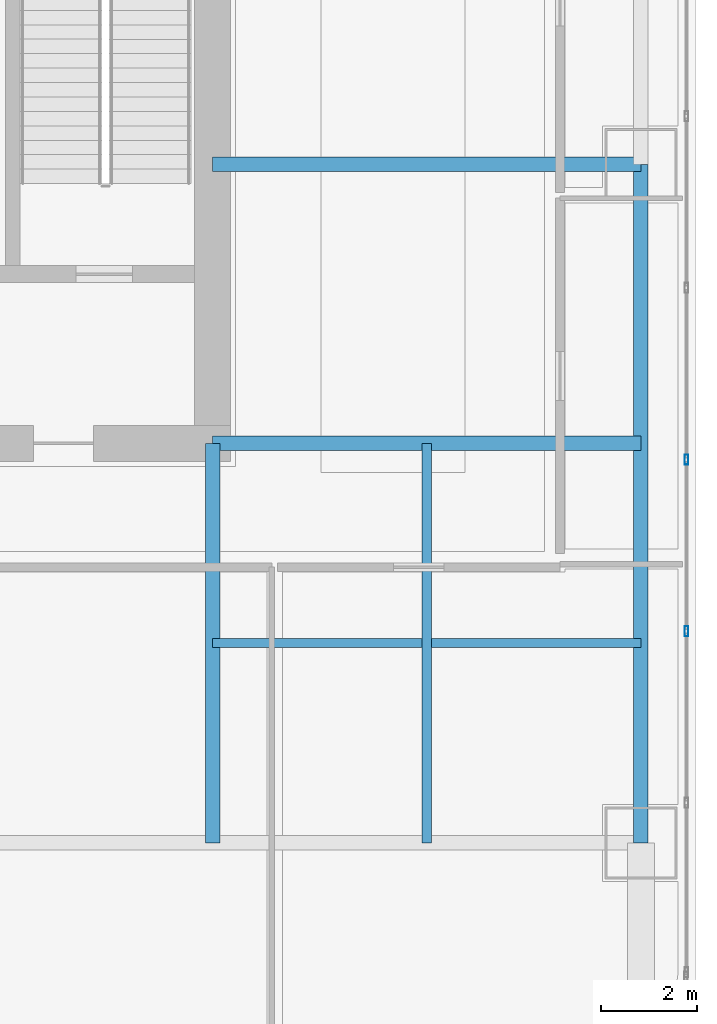
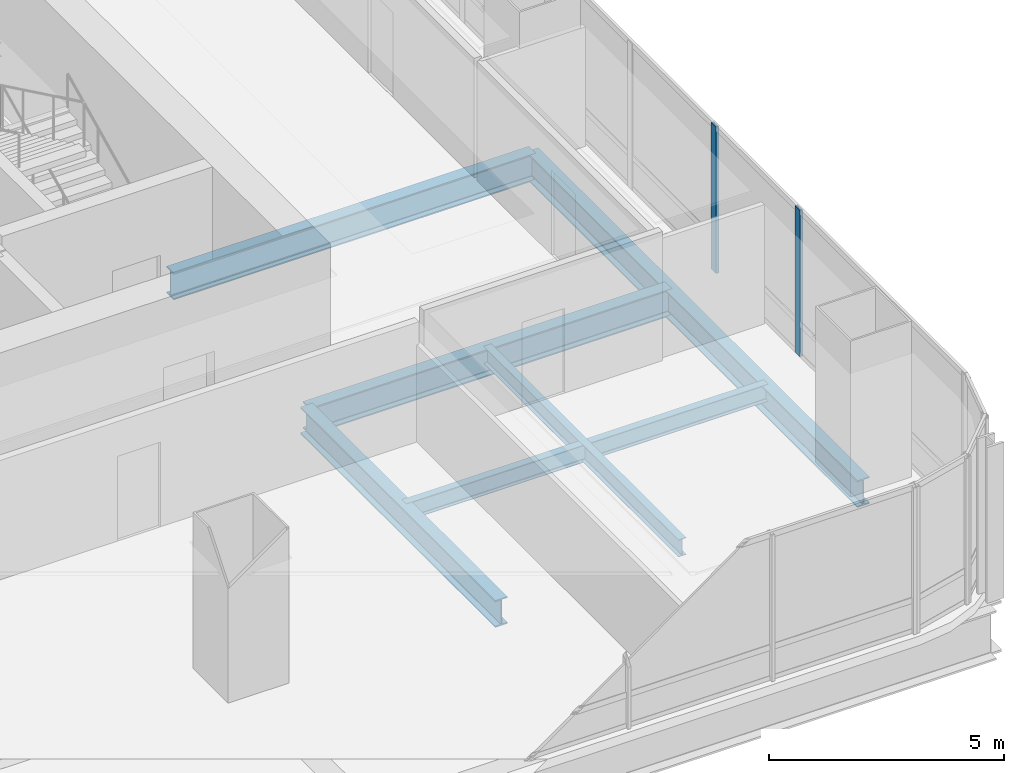
# One storey, part 14 of 36: 6 beams, 2 members, 1 element without a shape of its own.
"""IFC4 building model written with IfcOpenShell, lengths in metres."""

from ifc_helpers import new_model, si_unit, direction, frame, origin, origin_2d, place, context, subcontext, project, spatial, hollow_rectangle, i_section, extrude, material, material_profile, profile_set, type_object, element, aggregate, save


model = new_model("IFC4")

# Units and contexts
model_context = context("Model", 3, precision=1e-05, world=origin(), true_north=direction((0.0, 1.0)))
body_context = subcontext(model_context, "Body", "Model", "MODEL_VIEW")
ifc_project = project(units=[si_unit("LENGTHUNIT", "METRE"), si_unit("AREAUNIT", "SQUARE_METRE"), si_unit("VOLUMEUNIT", "CUBIC_METRE"), si_unit("PLANEANGLEUNIT", "RADIAN"), si_unit("MASSUNIT", "GRAM", prefix="KILO")], contexts=[model_context])

# Site, building, storey
site_placement = place(None, origin())
site = spatial("IfcSite", under=ifc_project, at=site_placement, CompositionType="ELEMENT")
building_placement = place(site_placement, origin())
building = spatial("IfcBuilding", under=site, at=building_placement, Name="Punatoya Terracotta Tower", CompositionType="ELEMENT")
storey_placement = place(building_placement, frame((0.0, 0.0, 32.25)))
storey = spatial("IfcBuildingStorey", under=building, at=storey_placement, Name="L06", CompositionType="ELEMENT", Elevation=32.25)

# Beams
ifc_material_1 = material(Name="Steel S355", Category="steel")
ifc_material_profile_1 = material_profile(ifc_material_1, i_section(OverallWidth=0.300048828125, OverallDepth=0.699951171875, WebThickness=0.01708984375, FlangeThickness=0.031982421875, FilletRadius=0.01806640625, at=origin_2d()))
ifc_profile_set_1 = profile_set([ifc_material_profile_1], Name="Steel S355")
beam_type_1 = type_object("IfcBeamType", Name="BM-PRI-700", PredefinedType="BEAM", material=ifc_profile_set_1)
beam_1_placement = place(storey_placement, frame((19.10009765625, -17.5, -0.590087890625), z_axis=(0.0, 1.0, 0.0), x_axis=(-1.0, 0.0, 0.0)))
element("IfcBeam", 1, at=beam_1_placement, inside=storey, type_object=beam_type_1, Name="BM-L06-RG-E1", PredefinedType="BEAM", context=body_context, shape_type="SweptSolid", body=[
    extrude(i_section(OverallWidth=0.300048828125, OverallDepth=0.699951171875, WebThickness=0.01708984375, FlangeThickness=0.031982421875, FilletRadius=0.01806640625, at=origin_2d()), origin(), (0.0, 0.0, 1.0), 14.10009765625),
])
for number, where, z_axis, x_axis, name in (
    (2, (10.199951171875, -9.199951171875, -0.590087890625), (1.0, 0.0, 0.0), (0.0, 1.0, 0.0), "BM-L06-PR-ES"),
    (3, (10.199951171875, -3.39990234375, -0.590087890625), (1.0, 0.0, 0.0), (0.0, 1.0, 0.0), "BM-L06-PR-ED"),
):
    element("IfcBeam", number, at=place(storey_placement, frame(where, z_axis=z_axis, x_axis=x_axis)), inside=storey, type_object=beam_type_1, Name=name, PredefinedType="BEAM", context=body_context, shape_type="SweptSolid", body=[
        extrude(i_section(OverallWidth=0.300048828125, OverallDepth=0.699951171875, WebThickness=0.01708984375, FlangeThickness=0.031982421875, FilletRadius=0.01806640625, at=origin_2d()), origin(), (0.0, 0.0, 1.0), 8.900146484375),
    ])
beam_2_placement = place(storey_placement, frame((10.199951171875, -17.5, -0.590087890625), z_axis=(0.0, 1.0, 0.0), x_axis=(-1.0, 0.0, 0.0)))
element("IfcBeam", 4, at=beam_2_placement, inside=storey, type_object=beam_type_1, Name="BM-L06-PR-S4", PredefinedType="BEAM", context=body_context, shape_type="SweptSolid", body=[
    extrude(i_section(OverallWidth=0.300048828125, OverallDepth=0.699951171875, WebThickness=0.01708984375, FlangeThickness=0.031982421875, FilletRadius=0.01806640625, at=origin_2d()), origin(), (0.0, 0.0, 1.0), 8.300048828125),
])
ifc_material_profile_2 = material_profile(ifc_material_1, i_section(OverallWidth=0.18994140625, OverallDepth=0.449951171875, WebThickness=0.009521484375, FlangeThickness=0.0146484375, FilletRadius=0.01806640625, at=origin_2d()))
ifc_profile_set_2 = profile_set([ifc_material_profile_2], Name="Steel S355")
beam_type_2 = type_object("IfcBeamType", Name="BM-SEC-450", PredefinedType="JOIST", material=ifc_profile_set_2)
beam_3_placement = place(storey_placement, frame((10.199951171875, -13.35009765625, -0.465087890625), z_axis=(1.0, 0.0, 0.0), x_axis=(0.0, 1.0, 0.0)))
element("IfcBeam", 5, at=beam_3_placement, inside=storey, type_object=beam_type_2, Name="BM-L06-SJS-2", PredefinedType="JOIST", context=body_context, shape_type="SweptSolid", body=[
    extrude(i_section(OverallWidth=0.18994140625, OverallDepth=0.449951171875, WebThickness=0.009521484375, FlangeThickness=0.0146484375, FilletRadius=0.01806640625, at=origin_2d()), origin(), (0.0, 0.0, 1.0), 8.900146484375),
])
beam_4_placement = place(storey_placement, frame((14.64990234375, -17.5, -0.465087890625), z_axis=(0.0, 1.0, 0.0), x_axis=(-1.0, 0.0, 0.0)))
element("IfcBeam", 6, at=beam_4_placement, inside=storey, type_object=beam_type_2, Name="BM-L06-SJE-1", PredefinedType="JOIST", context=body_context, shape_type="SweptSolid", body=[
    extrude(i_section(OverallWidth=0.18994140625, OverallDepth=0.449951171875, WebThickness=0.009521484375, FlangeThickness=0.0146484375, FilletRadius=0.01806640625, at=origin_2d()), origin(), (0.0, 0.0, 1.0), 8.300048828125),
])

# Curtain wall, members
ifc_material_2 = material(Name="Aluminium 6063-T6 + Double Low-E Glass", Category="aluminium")
curtain_wall_type = type_object("IfcCurtainWallType", Name="CW-M1", PredefinedType="NOTDEFINED", material=ifc_material_2)
curtain_wall_placement = place(storey_placement, origin())
curtain_wall = element("IfcCurtainWall", 7, at=curtain_wall_placement, inside=storey, type_object=curtain_wall_type, Name="L06 Curtain Wall CW-L06-E05-1", PredefinedType="NOTDEFINED")
ifc_material_3 = material(Name="Aluminium 6063-T6", Category="aluminium")
ifc_material_profile_3 = material_profile(ifc_material_3, hollow_rectangle(XDim=0.074951171875, YDim=0.2099609375, WallThickness=0.00439453125, at=origin_2d()))
ifc_profile_set_3 = profile_set([ifc_material_profile_3], Name="Aluminium 6063-T6")
member_type = type_object("IfcMemberType", Name="CW-MUL-M1", PredefinedType="MULLION", material=ifc_profile_set_3)
member_1_placement = place(storey_placement, frame((20.050048828125, -13.10205078125, 0.0), z_axis=(0.0, 0.0, 1.0), x_axis=(1.0, 0.0, 0.0)))
member_1 = element("IfcMember", 8, at=member_1_placement, type_object=member_type, Name="CW-L06-E05-1 Mullion 02", PredefinedType="MULLION", context=body_context, shape_type="SweptSolid", body=[
    extrude(hollow_rectangle(XDim=0.074951171875, YDim=0.2099609375, WallThickness=0.00439453125, at=origin_2d()), origin(), (0.0, 0.0, 1.0), 3.81005859375),
])
member_2_placement = place(storey_placement, frame((20.050048828125, -9.534912109375, 0.0), z_axis=(0.0, 0.0, 1.0), x_axis=(1.0, 0.0, 0.0)))
member_2 = element("IfcMember", 9, at=member_2_placement, type_object=member_type, Name="CW-L06-E05-1 Mullion 03", PredefinedType="MULLION", context=body_context, shape_type="SweptSolid", body=[
    extrude(hollow_rectangle(XDim=0.074951171875, YDim=0.2099609375, WallThickness=0.00439453125, at=origin_2d()), origin(), (0.0, 0.0, 1.0), 3.81005859375),
])
aggregate(curtain_wall, [member_1, member_2])

save(model, "model.ifc")
